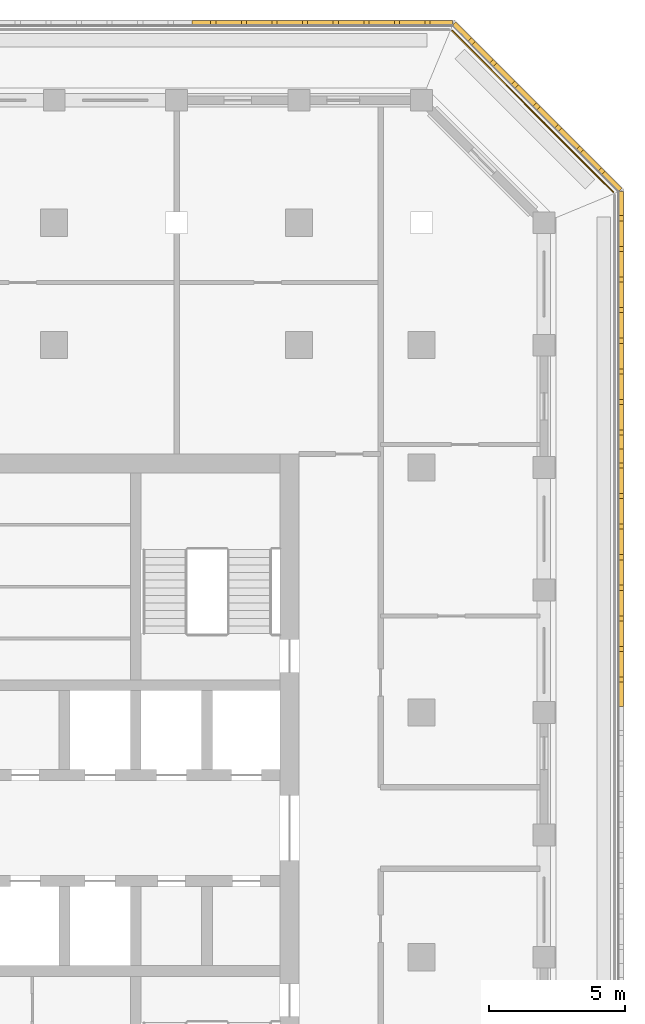
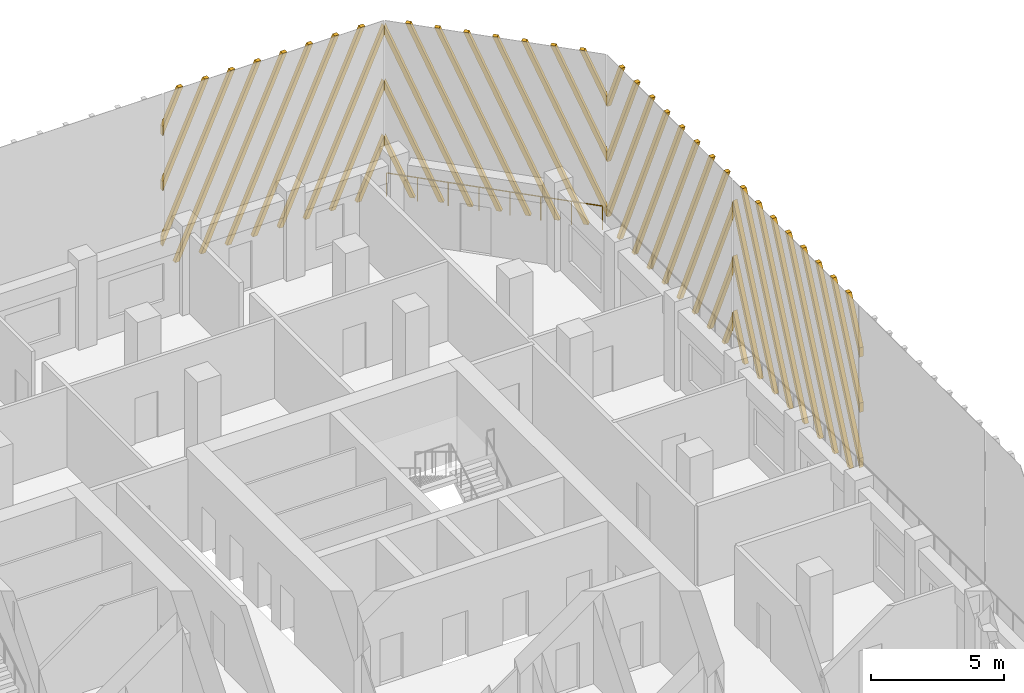
# One storey, part 16 of 17: 4 shading devices, 1 railing.
"""IFC4 building model written with IfcOpenShell, lengths in metres."""

import ifcopenshell
import ifcopenshell.guid

model = None  # the IFC model being written
_history = None  # IfcOwnerHistory: only IFC2X3 demands one
_inside = {}  # id of a spatial element -> (the spatial element, [elements in it])
_under = {}  # id of a project, library or spatial element -> (it, [spatial elements below it])
_declared = {}  # id of a project -> (the project, [libraries it declares])
_typed = {}  # id of a type object -> (the type object, [elements of that type])
_made_of = {}  # id of a material, layer set ... -> (it, [elements and type objects made of it])


def new_model(schema):
    """Start an empty IFC model of exactly this schema.

    Asked for "IFC4X3", IfcOpenShell would pick the latest addendum, in which some entities
    have other attributes; the version numbers below select the first issue.
    IFC2X3 requires an IfcOwnerHistory on every rooted entity: one is made here for all.
    """
    global model, _history
    if schema == "IFC4X3":
        model = ifcopenshell.file(schema_version=(4, 3, 0, 0))
    else:
        model = ifcopenshell.file(schema=schema)
    _inside.clear()
    _under.clear()
    _declared.clear()
    _typed.clear()
    _made_of.clear()
    _history = None
    if model.schema == "IFC2X3":
        org = make("IfcOrganization", Name="unknown")
        user = make(
            "IfcPersonAndOrganization",
            ThePerson=make("IfcPerson", FamilyName="unknown"),
            TheOrganization=org,
        )
        app = make(
            "IfcApplication",
            ApplicationDeveloper=org,
            Version="unknown",
            ApplicationFullName="unknown",
            ApplicationIdentifier="unknown",
        )
        _history = make(
            "IfcOwnerHistory",
            OwningUser=user,
            OwningApplication=app,
            ChangeAction="ADDED",
            CreationDate=0,
        )
    return model


def make(cls, **values):
    """One entity of the class cls with the attributes given. An attribute that is None is left unset."""
    return model.create_entity(
        cls, **{name: value for name, value in values.items() if value is not None}
    )


def rooted(cls, **values):
    """An entity with a GlobalId (a new one), such as an element, a storey or a relation."""
    return make(cls, GlobalId=ifcopenshell.guid.new(), OwnerHistory=_history, **values)


def si_unit(unit_type, name, prefix=None):
    """IfcSIUnit, for example si_unit("LENGTHUNIT", "METRE", prefix="MILLI")."""
    return make("IfcSIUnit", UnitType=unit_type, Prefix=prefix, Name=name)


def assignment(units):
    """IfcUnitAssignment: the units of a project."""
    return None if units is None else make("IfcUnitAssignment", Units=units)


def point(xyz):
    """IfcCartesianPoint."""
    return None if xyz is None else make("IfcCartesianPoint", Coordinates=xyz)


def direction(xyz):
    """IfcDirection."""
    return None if xyz is None else make("IfcDirection", DirectionRatios=xyz)


def frame(location, z_axis=None, x_axis=None):
    """IfcAxis2Placement3D, a coordinate frame: its origin and axes. An axis left out is left unset."""
    return make(
        "IfcAxis2Placement3D",
        Location=point(location),
        Axis=direction(z_axis),
        RefDirection=direction(x_axis),
    )


def frame_2d(location, x_axis=None):
    """IfcAxis2Placement2D, a coordinate frame in the plane: its origin and x axis."""
    return make(
        "IfcAxis2Placement2D", Location=point(location), RefDirection=direction(x_axis)
    )


def origin():
    """The frame at (0, 0, 0) with its axes left unset."""
    return frame((0.0, 0.0, 0.0))


def origin_2d():
    """The frame at (0, 0) in the plane with its x axis left unset."""
    return frame_2d((0.0, 0.0))


def place(relative_to, where):
    """IfcLocalPlacement: puts the frame where relative to a parent placement (None: the world)."""
    return make(
        "IfcLocalPlacement", PlacementRelTo=relative_to, RelativePlacement=where
    )


def context(
    kind, dimensions, precision=None, world=None, true_north=None, identifier=None
):
    """IfcGeometricRepresentationContext, for example the 3D "Model" context."""
    return make(
        "IfcGeometricRepresentationContext",
        ContextIdentifier=identifier,
        ContextType=kind,
        CoordinateSpaceDimension=dimensions,
        Precision=precision,
        WorldCoordinateSystem=world,
        TrueNorth=true_north,
    )


def subcontext(parent, identifier, kind, view, scale=None):
    """IfcGeometricRepresentationSubContext, for example "Body" below "Model"."""
    return make(
        "IfcGeometricRepresentationSubContext",
        ContextIdentifier=identifier,
        ContextType=kind,
        ParentContext=parent,
        TargetScale=scale,
        TargetView=view,
    )


def project(units=None, contexts=None):
    """IfcProject with its units and contexts."""
    return rooted(
        "IfcProject",
        Name="project",
        RepresentationContexts=contexts,
        UnitsInContext=assignment(units),
    )


def spatial(cls, under=None, at=None, **own):
    """A site, building, storey or space (cls), placed at a placement, below another one or the project."""
    s = rooted(cls, ObjectPlacement=at, **own)
    if under is not None:
        _under.setdefault(under.id(), (under, []))[1].append(s)
    return s


def polyline(points):
    """IfcPolyline through the points."""
    return make("IfcPolyline", Points=[point(p) for p in points])


def profile(cls, at=None, kind="AREA", **sizes):
    """A parametric profile (cls). Its sizes go by their IFC names, for example OverallWidth=200.0."""
    return make(cls, ProfileType=kind, Position=at, **sizes)


def circle(**sizes):
    """IfcCircleProfileDef."""
    return profile("IfcCircleProfileDef", **sizes)


def outline(outer, holes=None, kind="AREA"):
    """IfcArbitraryClosedProfileDef: a profile drawn as a closed curve; with holes, ...WithVoids."""
    if holes is None:
        return make("IfcArbitraryClosedProfileDef", ProfileType=kind, OuterCurve=outer)
    return make(
        "IfcArbitraryProfileDefWithVoids",
        ProfileType=kind,
        OuterCurve=outer,
        InnerCurves=holes,
    )


def extrude(swept, where, along, depth):
    """IfcExtrudedAreaSolid: the profile swept, set in the frame where, extruded along a direction by depth."""
    return make(
        "IfcExtrudedAreaSolid",
        SweptArea=swept,
        Position=where,
        ExtrudedDirection=direction(along),
        Depth=depth,
    )


def shape(context_of_items, identifier, shape_type, items):
    """IfcShapeRepresentation: the items that make up one representation, for example the "Body"."""
    return make(
        "IfcShapeRepresentation",
        ContextOfItems=context_of_items,
        RepresentationIdentifier=identifier,
        RepresentationType=shape_type,
        Items=items,
    )


def source(mapping_origin, context_of_items, identifier, shape_type, items):
    """IfcRepresentationMap: a shape defined once, which mapped items show again and again."""
    return make(
        "IfcRepresentationMap",
        MappingOrigin=mapping_origin,
        MappedRepresentation=shape(context_of_items, identifier, shape_type, items),
    )


def transform(
    local_origin,
    x_axis=None,
    y_axis=None,
    z_axis=None,
    scale=None,
    scale2=None,
    scale3=None,
    uniform=True,
):
    """IfcCartesianTransformationOperator3D, or its non-uniform kind. x_axis, y_axis, z_axis: its Axis1, 2, 3."""
    if uniform:
        return make(
            "IfcCartesianTransformationOperator3D",
            Axis1=direction(x_axis),
            Axis2=direction(y_axis),
            LocalOrigin=point(local_origin),
            Scale=scale,
            Axis3=direction(z_axis),
        )
    return make(
        "IfcCartesianTransformationOperator3DnonUniform",
        Axis1=direction(x_axis),
        Axis2=direction(y_axis),
        LocalOrigin=point(local_origin),
        Scale=scale,
        Axis3=direction(z_axis),
        Scale2=scale2,
        Scale3=scale3,
    )


def mapped(mapping_source, mapping_target):
    """IfcMappedItem: shows the shape of a source again, moved by a transform."""
    return make(
        "IfcMappedItem", MappingSource=mapping_source, MappingTarget=mapping_target
    )


def material(Name=None, Category=None):
    """IfcMaterial."""
    return make("IfcMaterial", Name=Name, Category=Category)


def made_of(thing, what):
    """Note that an element or type object is made of a material, layer set ...; save() writes the relation."""
    if what is not None:
        _made_of.setdefault(what.id(), (what, []))[1].append(thing)
    return thing


def type_object(cls, material=None, **own):
    """A type object (cls), such as IfcWallType, which elements share."""
    return made_of(rooted(cls, **own), material)


def element(
    cls,
    number,
    at=None,
    inside=None,
    cuts=None,
    type_object=None,
    material=None,
    context=None,
    identifier="Body",
    shape_type=None,
    held_by="IfcProductDefinitionShape",
    body=None,
    shapes=None,
    **own,
):
    """One element of the class cls, such as IfcWall. Its Tag is "e" and its number.

    at: its placement. inside: the storey or other place that contains it. cuts: it is an
    opening in that element (IfcRelVoidsElement). A single representation is given by context,
    identifier, shape_type and body (its items); several are given by shapes. held_by: the class
    of the entity that holds the representations. save() writes the other relations.
    """
    e = rooted(cls, Tag="e%d" % number, ObjectPlacement=at, **own)
    if body is not None:
        shapes = [shape(context, identifier, shape_type, body)]
    if shapes is not None:
        e.Representation = make(held_by, Representations=shapes)
    if inside is not None:
        _inside.setdefault(inside.id(), (inside, []))[1].append(e)
    if cuts is not None:
        rooted(
            "IfcRelVoidsElement", RelatingBuildingElement=cuts, RelatedOpeningElement=e
        )
    if type_object is not None:
        _typed.setdefault(type_object.id(), (type_object, []))[1].append(e)
    return made_of(e, material)


def aggregate(whole, parts):
    """IfcRelAggregates: a whole, such as a stair, and the parts it consists of."""
    return rooted("IfcRelAggregates", RelatingObject=whole, RelatedObjects=parts)


def save(model, path):
    """Write the relations noted so far, then the file.

    IfcRelAggregates (storeys below a building ...), IfcRelContainedInSpatialStructure (elements
    in a storey), IfcRelDefinesByType, IfcRelAssociatesMaterial and IfcRelDeclares: one each for
    every whole, place, type object, material and project.
    """
    for whole, parts in _under.values():
        aggregate(whole, parts)
    for where, things in _inside.values():
        rooted(
            "IfcRelContainedInSpatialStructure",
            RelatedElements=things,
            RelatingStructure=where,
        )
    for kind, things in _typed.values():
        rooted("IfcRelDefinesByType", RelatedObjects=things, RelatingType=kind)
    for what, things in _made_of.values():
        rooted("IfcRelAssociatesMaterial", RelatedObjects=things, RelatingMaterial=what)
    for by, libraries in _declared.values():
        rooted("IfcRelDeclares", RelatingContext=by, RelatedDefinitions=libraries)
    model.write(path)


model = new_model("IFC4")

# Units and contexts
model_context = context("Model", 3, precision=1e-05, world=origin(), true_north=direction((0.0, 1.0)))
body_context = subcontext(model_context, "Body", "Model", "MODEL_VIEW")
ifc_project = project(units=[si_unit("LENGTHUNIT", "METRE"), si_unit("AREAUNIT", "SQUARE_METRE"), si_unit("VOLUMEUNIT", "CUBIC_METRE"), si_unit("PLANEANGLEUNIT", "RADIAN"), si_unit("MASSUNIT", "GRAM", prefix="KILO")], contexts=[model_context])

# Site, building, storey
site_placement = place(None, origin())
site = spatial("IfcSite", under=ifc_project, at=site_placement, CompositionType="ELEMENT")
building_placement = place(site_placement, origin())
building = spatial("IfcBuilding", under=site, at=building_placement, Name="Corbel Stack Research Tower", CompositionType="ELEMENT")
storey_placement = place(building_placement, frame((0.0, 0.0, 231.60009765625)))
storey = spatial("IfcBuildingStorey", under=building, at=storey_placement, Name="L52", CompositionType="ELEMENT", Elevation=231.60009765625)

# Railing
ifc_material_1 = material(Name="Powder-coated steel guard", Category="steel")
railing_type = type_object("IfcRailingType", Name="Steel and glass guard 1100", PredefinedType="GUARDRAIL", material=ifc_material_1)
railing_placement = place(storey_placement, frame((29.54931640625, 28.127685546875, 0.0)))
element("IfcRailing", 1, at=railing_placement, inside=storey, type_object=railing_type, Name="Loggia guard L52 NE", PredefinedType="GUARDRAIL", context=body_context, shape_type="SweptSolid", body=[
    extrude(circle(Radius=0.02392578125, at=origin_2d()), frame((0.0, 0.0, 1.076171875), z_axis=(-0.707106781187, 0.707106781187, 0.0), x_axis=(-0.707106781187, -0.707106781187, 0.0)), (0.0, 0.0, 1.0), 8.37451171875),
    extrude(circle(Radius=0.02099609375, at=origin_2d()), origin(), (0.0, 0.0, 1.0), 1.052001953125),
    extrude(circle(Radius=0.02099609375, at=origin_2d()), frame((-0.845947265625, 0.845947265625, 0.0)), (0.0, 0.0, 1.0), 1.052001953125),
    extrude(circle(Radius=0.02099609375, at=origin_2d()), frame((-1.69189453125, 1.69189453125, 0.0)), (0.0, 0.0, 1.0), 1.052001953125),
    extrude(circle(Radius=0.02099609375, at=origin_2d()), frame((-2.537841796875, 2.537841796875, 0.0)), (0.0, 0.0, 1.0), 1.052001953125),
    extrude(circle(Radius=0.02099609375, at=origin_2d()), frame((-3.3837890625, 3.3837890625, 0.0)), (0.0, 0.0, 1.0), 1.052001953125),
    extrude(circle(Radius=0.02099609375, at=origin_2d()), frame((-4.229736328125, 4.229736328125, 0.0)), (0.0, 0.0, 1.0), 1.052001953125),
    extrude(circle(Radius=0.02099609375, at=origin_2d()), frame((-5.07568359375, 5.07568359375, 0.0)), (0.0, 0.0, 1.0), 1.052001953125),
    extrude(circle(Radius=0.02099609375, at=origin_2d()), frame((-5.921630859375, 5.921630859375, 0.0)), (0.0, 0.0, 1.0), 1.052001953125),
])

# Shading devices
ifc_material_2 = material(Name="Precast terracotta", Category="masonry")
shading_device_type = type_object("IfcShadingDeviceType", Name="Terracotta screen panel", PredefinedType="USERDEFINED", material=ifc_material_2)
shared_shape_1 = source(origin(), body_context, "Body", "SweptSolid", [
    extrude(outline(polyline([(0.862060546875, 0.0), (0.0, 1.936279296875), (0.0, 1.509521484375), (0.672119140625, 0.0), (0.862060546875, 0.0)])), frame((0.0, 0.0, 0.0), z_axis=(0.0, -1.0, 0.0), x_axis=(1.0, 0.0, 0.0)), (0.0, 0.0, 1.0), 0.179931640625),
    extrude(outline(polyline([(1.987060546875, 0.0), (0.0, 4.463134765625), (0.0, 4.036376953125), (1.797119140625, 0.0), (1.987060546875, 0.0)])), frame((0.0, 0.0, 0.0), z_axis=(0.0, -1.0, 0.0), x_axis=(1.0, 0.0, 0.0)), (0.0, 0.0, 1.0), 0.179931640625),
    extrude(outline(polyline([(3.112060546875, 0.0), (0.0, 6.989990234375), (0.0, 6.563232421875), (2.922119140625, 0.0), (3.112060546875, 0.0)])), frame((0.0, 0.0, 0.0), z_axis=(0.0, -1.0, 0.0), x_axis=(1.0, 0.0, 0.0)), (0.0, 0.0, 1.0), 0.179931640625),
    extrude(outline(polyline([(4.237060546875, 0.0), (0.697509765625, 7.949951171875), (0.507568359375, 7.949951171875), (4.047119140625, 0.0), (4.237060546875, 0.0)])), frame((0.0, 0.0, 0.0), z_axis=(0.0, -1.0, 0.0), x_axis=(1.0, 0.0, 0.0)), (0.0, 0.0, 1.0), 0.179931640625),
    extrude(outline(polyline([(5.362060546875, 0.0), (1.822509765625, 7.949951171875), (1.632568359375, 7.949951171875), (5.172119140625, 0.0), (5.362060546875, 0.0)])), frame((0.0, 0.0, 0.0), z_axis=(0.0, -1.0, 0.0), x_axis=(1.0, 0.0, 0.0)), (0.0, 0.0, 1.0), 0.179931640625),
    extrude(outline(polyline([(6.487060546875, 0.0), (2.947509765625, 7.949951171875), (2.757568359375, 7.949951171875), (6.297119140625, 0.0), (6.487060546875, 0.0)])), frame((0.0, 0.0, 0.0), z_axis=(0.0, -1.0, 0.0), x_axis=(1.0, 0.0, 0.0)), (0.0, 0.0, 1.0), 0.179931640625),
    extrude(outline(polyline([(7.612060546875, 0.0), (4.072509765625, 7.949951171875), (3.882568359375, 7.949951171875), (7.422119140625, 0.0), (7.612060546875, 0.0)])), frame((0.0, 0.0, 0.0), z_axis=(0.0, -1.0, 0.0), x_axis=(1.0, 0.0, 0.0)), (0.0, 0.0, 1.0), 0.179931640625),
    extrude(outline(polyline([(8.737060546875, 0.0), (5.197509765625, 7.949951171875), (5.007568359375, 7.949951171875), (8.547119140625, 0.0), (8.737060546875, 0.0)])), frame((0.0, 0.0, 0.0), z_axis=(0.0, -1.0, 0.0), x_axis=(1.0, 0.0, 0.0)), (0.0, 0.0, 1.0), 0.179931640625),
    extrude(outline(polyline([(6.322509765625, 7.949951171875), (6.132568359375, 7.949951171875), (9.45556640625, 0.486328125), (9.45556640625, 0.9130859375), (6.322509765625, 7.949951171875)])), frame((0.0, 0.0, 0.0), z_axis=(0.0, -1.0, 0.0), x_axis=(1.0, 0.0, 0.0)), (0.0, 0.0, 1.0), 0.179931640625),
    extrude(outline(polyline([(7.447509765625, 7.949951171875), (7.257568359375, 7.949951171875), (9.45556640625, 3.01318359375), (9.45556640625, 3.439697265625), (7.447509765625, 7.949951171875)])), frame((0.0, 0.0, 0.0), z_axis=(0.0, -1.0, 0.0), x_axis=(1.0, 0.0, 0.0)), (0.0, 0.0, 1.0), 0.179931640625),
    extrude(outline(polyline([(8.572509765625, 7.949951171875), (8.382568359375, 7.949951171875), (9.45556640625, 5.539794921875), (9.45556640625, 5.966552734375), (8.572509765625, 7.949951171875)])), frame((0.0, 0.0, 0.0), z_axis=(0.0, -1.0, 0.0), x_axis=(1.0, 0.0, 0.0)), (0.0, 0.0, 1.0), 0.179931640625),
])
shading_device_1_placement = place(storey_placement, frame((29.75, 18.68359375, 0.0), z_axis=(0.0, 0.0, 1.0), x_axis=(0.0, 1.0, 0.0)))
element("IfcShadingDevice", 2, at=shading_device_1_placement, inside=storey, type_object=shading_device_type, Name="Terracotta screen L52 E5", ObjectType="SCREEN", PredefinedType="USERDEFINED", context=body_context, shape_type="MappedRepresentation", body=[
    mapped(shared_shape_1, transform((0.0, 0.0, 0.0))),
])
shared_shape_2 = source(origin(), body_context, "Body", "SweptSolid", [
    extrude(outline(polyline([(1.072998046875, 7.949951171875), (0.883056640625, 7.949951171875), (0.0, 5.966552734375), (0.0, 5.539794921875), (1.072998046875, 7.949951171875)])), frame((0.0, 0.0, 0.0), z_axis=(0.0, -1.0, 0.0), x_axis=(1.0, 0.0, 0.0)), (0.0, 0.0, 1.0), 0.179931640625),
    extrude(outline(polyline([(2.197998046875, 7.949951171875), (2.008056640625, 7.949951171875), (0.0, 3.439697265625), (0.0, 3.01318359375), (2.197998046875, 7.949951171875)])), frame((0.0, 0.0, 0.0), z_axis=(0.0, -1.0, 0.0), x_axis=(1.0, 0.0, 0.0)), (0.0, 0.0, 1.0), 0.179931640625),
    extrude(outline(polyline([(3.322998046875, 7.949951171875), (3.133056640625, 7.949951171875), (0.0, 0.9130859375), (0.0, 0.486328125), (3.322998046875, 7.949951171875)])), frame((0.0, 0.0, 0.0), z_axis=(0.0, -1.0, 0.0), x_axis=(1.0, 0.0, 0.0)), (0.0, 0.0, 1.0), 0.179931640625),
    extrude(outline(polyline([(0.908447265625, 0.0), (4.447998046875, 7.949951171875), (4.258056640625, 7.949951171875), (0.718505859375, 0.0), (0.908447265625, 0.0)])), frame((0.0, 0.0, 0.0), z_axis=(0.0, -1.0, 0.0), x_axis=(1.0, 0.0, 0.0)), (0.0, 0.0, 1.0), 0.179931640625),
    extrude(outline(polyline([(2.033447265625, 0.0), (5.572998046875, 7.949951171875), (5.383056640625, 7.949951171875), (1.843505859375, 0.0), (2.033447265625, 0.0)])), frame((0.0, 0.0, 0.0), z_axis=(0.0, -1.0, 0.0), x_axis=(1.0, 0.0, 0.0)), (0.0, 0.0, 1.0), 0.179931640625),
    extrude(outline(polyline([(3.158447265625, 0.0), (6.697998046875, 7.949951171875), (6.508056640625, 7.949951171875), (2.968505859375, 0.0), (3.158447265625, 0.0)])), frame((0.0, 0.0, 0.0), z_axis=(0.0, -1.0, 0.0), x_axis=(1.0, 0.0, 0.0)), (0.0, 0.0, 1.0), 0.179931640625),
    extrude(outline(polyline([(4.283447265625, 0.0), (7.822998046875, 7.949951171875), (7.633056640625, 7.949951171875), (4.093505859375, 0.0), (4.283447265625, 0.0)])), frame((0.0, 0.0, 0.0), z_axis=(0.0, -1.0, 0.0), x_axis=(1.0, 0.0, 0.0)), (0.0, 0.0, 1.0), 0.179931640625),
    extrude(outline(polyline([(5.408447265625, 0.0), (8.947998046875, 7.949951171875), (8.758056640625, 7.949951171875), (5.218505859375, 0.0), (5.408447265625, 0.0)])), frame((0.0, 0.0, 0.0), z_axis=(0.0, -1.0, 0.0), x_axis=(1.0, 0.0, 0.0)), (0.0, 0.0, 1.0), 0.179931640625),
    extrude(outline(polyline([(6.533447265625, 0.0), (9.45556640625, 6.563232421875), (9.45556640625, 6.989990234375), (6.343505859375, 0.0), (6.533447265625, 0.0)])), frame((0.0, 0.0, 0.0), z_axis=(0.0, -1.0, 0.0), x_axis=(1.0, 0.0, 0.0)), (0.0, 0.0, 1.0), 0.179931640625),
    extrude(outline(polyline([(7.658447265625, 0.0), (9.45556640625, 4.036376953125), (9.45556640625, 4.463134765625), (7.468505859375, 0.0), (7.658447265625, 0.0)])), frame((0.0, 0.0, 0.0), z_axis=(0.0, -1.0, 0.0), x_axis=(1.0, 0.0, 0.0)), (0.0, 0.0, 1.0), 0.179931640625),
    extrude(outline(polyline([(8.783447265625, 0.0), (9.45556640625, 1.509521484375), (9.45556640625, 1.936279296875), (8.593505859375, 0.0), (8.783447265625, 0.0)])), frame((0.0, 0.0, 0.0), z_axis=(0.0, -1.0, 0.0), x_axis=(1.0, 0.0, 0.0)), (0.0, 0.0, 1.0), 0.179931640625),
])
shading_device_2_placement = place(storey_placement, frame((29.75, 9.227783203125, 0.0), z_axis=(0.0, 0.0, 1.0), x_axis=(0.0, 1.0, 0.0)))
element("IfcShadingDevice", 3, at=shading_device_2_placement, inside=storey, type_object=shading_device_type, Name="Terracotta screen L52 E4", ObjectType="SCREEN", PredefinedType="USERDEFINED", context=body_context, shape_type="MappedRepresentation", body=[
    mapped(shared_shape_2, transform((0.0, 0.0, 0.0))),
])
shared_shape_3 = source(origin(), body_context, "Body", "SweptSolid", [
    extrude(outline(polyline([(1.072998046875, 7.949951171875), (0.883056640625, 7.949951171875), (0.0, 5.966552734375), (0.0, 5.539794921875), (1.072998046875, 7.949951171875)])), frame((0.0, 0.0, 0.0), z_axis=(0.0, -1.0, 0.0), x_axis=(1.0, 0.0, 0.0)), (0.0, 0.0, 1.0), 0.179931640625),
    extrude(outline(polyline([(2.197998046875, 7.949951171875), (2.008056640625, 7.949951171875), (0.0, 3.439697265625), (0.0, 3.01318359375), (2.197998046875, 7.949951171875)])), frame((0.0, 0.0, 0.0), z_axis=(0.0, -1.0, 0.0), x_axis=(1.0, 0.0, 0.0)), (0.0, 0.0, 1.0), 0.179931640625),
    extrude(outline(polyline([(3.322998046875, 7.949951171875), (3.133056640625, 7.949951171875), (0.0, 0.9130859375), (0.0, 0.486328125), (3.322998046875, 7.949951171875)])), frame((0.0, 0.0, 0.0), z_axis=(0.0, -1.0, 0.0), x_axis=(1.0, 0.0, 0.0)), (0.0, 0.0, 1.0), 0.179931640625),
    extrude(outline(polyline([(0.908447265625, 0.0), (4.447998046875, 7.949951171875), (4.258056640625, 7.949951171875), (0.718505859375, 0.0), (0.908447265625, 0.0)])), frame((0.0, 0.0, 0.0), z_axis=(0.0, -1.0, 0.0), x_axis=(1.0, 0.0, 0.0)), (0.0, 0.0, 1.0), 0.179931640625),
    extrude(outline(polyline([(2.033447265625, 0.0), (5.572998046875, 7.949951171875), (5.383056640625, 7.949951171875), (1.843505859375, 0.0), (2.033447265625, 0.0)])), frame((0.0, 0.0, 0.0), z_axis=(0.0, -1.0, 0.0), x_axis=(1.0, 0.0, 0.0)), (0.0, 0.0, 1.0), 0.179931640625),
    extrude(outline(polyline([(3.158447265625, 0.0), (6.697998046875, 7.949951171875), (6.508056640625, 7.949951171875), (2.968505859375, 0.0), (3.158447265625, 0.0)])), frame((0.0, 0.0, 0.0), z_axis=(0.0, -1.0, 0.0), x_axis=(1.0, 0.0, 0.0)), (0.0, 0.0, 1.0), 0.179931640625),
    extrude(outline(polyline([(4.283447265625, 0.0), (7.822998046875, 7.949951171875), (7.633056640625, 7.949951171875), (4.093505859375, 0.0), (4.283447265625, 0.0)])), frame((0.0, 0.0, 0.0), z_axis=(0.0, -1.0, 0.0), x_axis=(1.0, 0.0, 0.0)), (0.0, 0.0, 1.0), 0.179931640625),
    extrude(outline(polyline([(5.408447265625, 0.0), (8.64208984375, 7.262939453125), (8.64208984375, 7.689697265625), (5.218505859375, 0.0), (5.408447265625, 0.0)])), frame((0.0, 0.0, 0.0), z_axis=(0.0, -1.0, 0.0), x_axis=(1.0, 0.0, 0.0)), (0.0, 0.0, 1.0), 0.179931640625),
    extrude(outline(polyline([(6.533447265625, 0.0), (8.64208984375, 4.736083984375), (8.64208984375, 5.162841796875), (6.343505859375, 0.0), (6.533447265625, 0.0)])), frame((0.0, 0.0, 0.0), z_axis=(0.0, -1.0, 0.0), x_axis=(1.0, 0.0, 0.0)), (0.0, 0.0, 1.0), 0.179931640625),
    extrude(outline(polyline([(7.658447265625, 0.0), (8.64208984375, 2.209228515625), (8.64208984375, 2.635986328125), (7.468505859375, 0.0), (7.658447265625, 0.0)])), frame((0.0, 0.0, 0.0), z_axis=(0.0, -1.0, 0.0), x_axis=(1.0, 0.0, 0.0)), (0.0, 0.0, 1.0), 0.179931640625),
])
shading_device_3_placement = place(storey_placement, frame((29.75, 28.13916015625, 0.0), z_axis=(0.0, 0.0, 1.0), x_axis=(-0.707106781187, 0.707106781187, 0.0)))
element("IfcShadingDevice", 4, at=shading_device_3_placement, inside=storey, type_object=shading_device_type, Name="Terracotta screen L52 NE1", ObjectType="SCREEN", PredefinedType="USERDEFINED", context=body_context, shape_type="MappedRepresentation", body=[
    mapped(shared_shape_3, transform((0.0, 0.0, 0.0))),
])
shared_shape_4 = source(origin(), body_context, "Body", "SweptSolid", [
    extrude(outline(polyline([(1.173583984375, 0.0), (0.0, 2.635986328125), (0.0, 2.209228515625), (0.983642578125, 0.0), (1.173583984375, 0.0)])), frame((0.0, 0.0, 0.0), z_axis=(0.0, -1.0, 0.0), x_axis=(1.0, 0.0, 0.0)), (0.0, 0.0, 1.0), 0.179931640625),
    extrude(outline(polyline([(2.298583984375, 0.0), (0.0, 5.162841796875), (0.0, 4.736083984375), (2.108642578125, 0.0), (2.298583984375, 0.0)])), frame((0.0, 0.0, 0.0), z_axis=(0.0, -1.0, 0.0), x_axis=(1.0, 0.0, 0.0)), (0.0, 0.0, 1.0), 0.179931640625),
    extrude(outline(polyline([(3.423583984375, 0.0), (0.0, 7.689697265625), (0.0, 7.262939453125), (3.233642578125, 0.0), (3.423583984375, 0.0)])), frame((0.0, 0.0, 0.0), z_axis=(0.0, -1.0, 0.0), x_axis=(1.0, 0.0, 0.0)), (0.0, 0.0, 1.0), 0.179931640625),
    extrude(outline(polyline([(4.548583984375, 0.0), (1.009033203125, 7.949951171875), (0.819091796875, 7.949951171875), (4.358642578125, 0.0), (4.548583984375, 0.0)])), frame((0.0, 0.0, 0.0), z_axis=(0.0, -1.0, 0.0), x_axis=(1.0, 0.0, 0.0)), (0.0, 0.0, 1.0), 0.179931640625),
    extrude(outline(polyline([(5.673583984375, 0.0), (2.134033203125, 7.949951171875), (1.944091796875, 7.949951171875), (5.483642578125, 0.0), (5.673583984375, 0.0)])), frame((0.0, 0.0, 0.0), z_axis=(0.0, -1.0, 0.0), x_axis=(1.0, 0.0, 0.0)), (0.0, 0.0, 1.0), 0.179931640625),
    extrude(outline(polyline([(6.798583984375, 0.0), (3.259033203125, 7.949951171875), (3.069091796875, 7.949951171875), (6.608642578125, 0.0), (6.798583984375, 0.0)])), frame((0.0, 0.0, 0.0), z_axis=(0.0, -1.0, 0.0), x_axis=(1.0, 0.0, 0.0)), (0.0, 0.0, 1.0), 0.179931640625),
    extrude(outline(polyline([(7.923583984375, 0.0), (4.384033203125, 7.949951171875), (4.194091796875, 7.949951171875), (7.733642578125, 0.0), (7.923583984375, 0.0)])), frame((0.0, 0.0, 0.0), z_axis=(0.0, -1.0, 0.0), x_axis=(1.0, 0.0, 0.0)), (0.0, 0.0, 1.0), 0.179931640625),
    extrude(outline(polyline([(9.048583984375, 0.0), (5.509033203125, 7.949951171875), (5.319091796875, 7.949951171875), (8.858642578125, 0.0), (9.048583984375, 0.0)])), frame((0.0, 0.0, 0.0), z_axis=(0.0, -1.0, 0.0), x_axis=(1.0, 0.0, 0.0)), (0.0, 0.0, 1.0), 0.179931640625),
    extrude(outline(polyline([(6.634033203125, 7.949951171875), (6.444091796875, 7.949951171875), (9.569580078125, 0.93017578125), (9.569580078125, 1.356689453125), (6.634033203125, 7.949951171875)])), frame((0.0, 0.0, 0.0), z_axis=(0.0, -1.0, 0.0), x_axis=(1.0, 0.0, 0.0)), (0.0, 0.0, 1.0), 0.179931640625),
    extrude(outline(polyline([(7.759033203125, 7.949951171875), (7.569091796875, 7.949951171875), (9.569580078125, 3.456787109375), (9.569580078125, 3.883544921875), (7.759033203125, 7.949951171875)])), frame((0.0, 0.0, 0.0), z_axis=(0.0, -1.0, 0.0), x_axis=(1.0, 0.0, 0.0)), (0.0, 0.0, 1.0), 0.179931640625),
    extrude(outline(polyline([(8.884033203125, 7.949951171875), (8.694091796875, 7.949951171875), (9.569580078125, 5.983642578125), (9.569580078125, 6.410400390625), (8.884033203125, 7.949951171875)])), frame((0.0, 0.0, 0.0), z_axis=(0.0, -1.0, 0.0), x_axis=(1.0, 0.0, 0.0)), (0.0, 0.0, 1.0), 0.179931640625),
])
shading_device_4_placement = place(storey_placement, frame((23.63916015625, 34.25, 0.0), z_axis=(0.0, 0.0, 1.0), x_axis=(-1.0, 0.0, 0.0)))
element("IfcShadingDevice", 5, at=shading_device_4_placement, inside=storey, type_object=shading_device_type, Name="Terracotta screen L52 N1", ObjectType="SCREEN", PredefinedType="USERDEFINED", context=body_context, shape_type="MappedRepresentation", body=[
    mapped(shared_shape_4, transform((0.0, 0.0, 0.0))),
])

save(model, "model.ifc")
